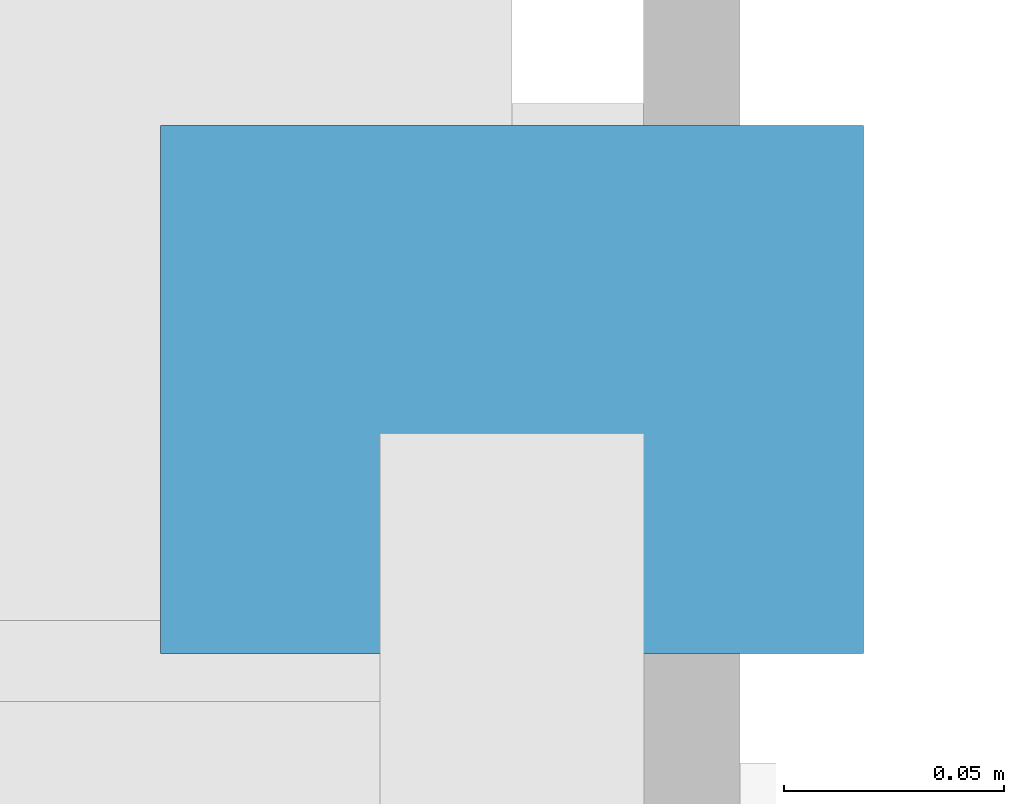
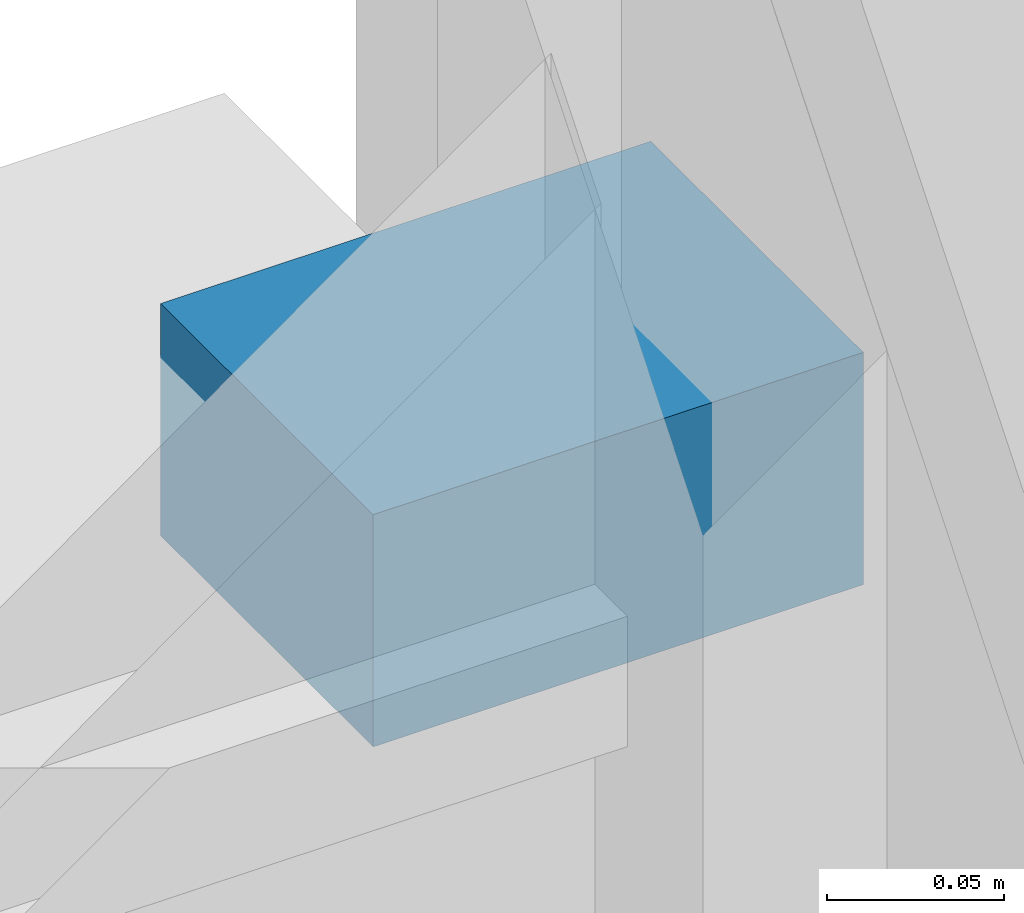
# One storey, part 85 of 105: 1 discrete accessory.
"""IFC4 building model written with IfcOpenShell, lengths in metres."""

from ifc_helpers import new_model, si_unit, direction, frame, origin, origin_2d, place, context, subcontext, project, spatial, rectangle, extrude, material, type_object, element, save


model = new_model("IFC4")

# Units and contexts
model_context = context("Model", 3, precision=1e-05, world=origin(), true_north=direction((0.0, 1.0)))
body_context = subcontext(model_context, "Body", "Model", "MODEL_VIEW")
ifc_project = project(units=[si_unit("LENGTHUNIT", "METRE"), si_unit("AREAUNIT", "SQUARE_METRE"), si_unit("VOLUMEUNIT", "CUBIC_METRE"), si_unit("PLANEANGLEUNIT", "RADIAN"), si_unit("MASSUNIT", "GRAM", prefix="KILO")], contexts=[model_context])

# Site, building, storey
site_placement = place(None, origin())
site = spatial("IfcSite", under=ifc_project, at=site_placement, CompositionType="ELEMENT")
building_placement = place(site_placement, origin())
building = spatial("IfcBuilding", under=site, at=building_placement, Name="Suzunagisa Mobility Hub", CompositionType="ELEMENT")
storey_placement = place(building_placement, frame((0.0, 0.0, 5.10009765625)))
storey = spatial("IfcBuildingStorey", under=building, at=storey_placement, Name="L01", CompositionType="ELEMENT", Elevation=5.10009765625)

# Discrete accessory
ifc_material = material(Name="Stainless Steel SUS316", Category="metal")
discrete_accessory_type = type_object("IfcDiscreteAccessoryType", Name="Stainless Sunshade Outrigger Bracket BRK-01", PredefinedType="BRACKET", material=ifc_material)
discrete_accessory_placement = place(storey_placement, frame((71.7451171875, 118.0849609375, 2.86181640625), z_axis=(0.0, 0.0, 1.0), x_axis=(-1.0, 0.0, 0.0)))
element("IfcDiscreteAccessory", 1, at=discrete_accessory_placement, inside=storey, type_object=discrete_accessory_type, Name="Sunshade Outrigger Bracket BRK-21.1", PredefinedType="BRACKET", context=body_context, shape_type="SweptSolid", body=[
    extrude(rectangle(XDim=0.159912109375, YDim=0.1201171875, at=origin_2d()), origin(), (0.0, 0.0, 1.0), 0.080078125),
])

save(model, "model.ifc")
